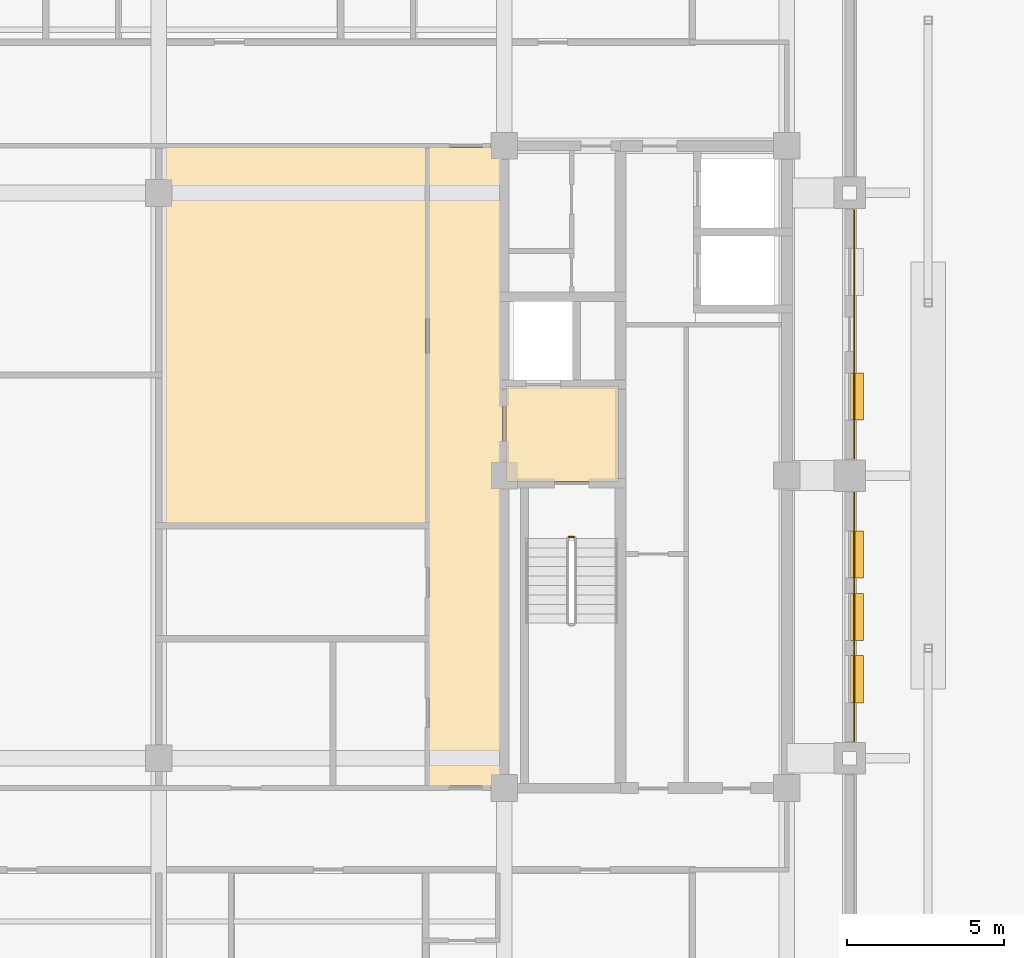
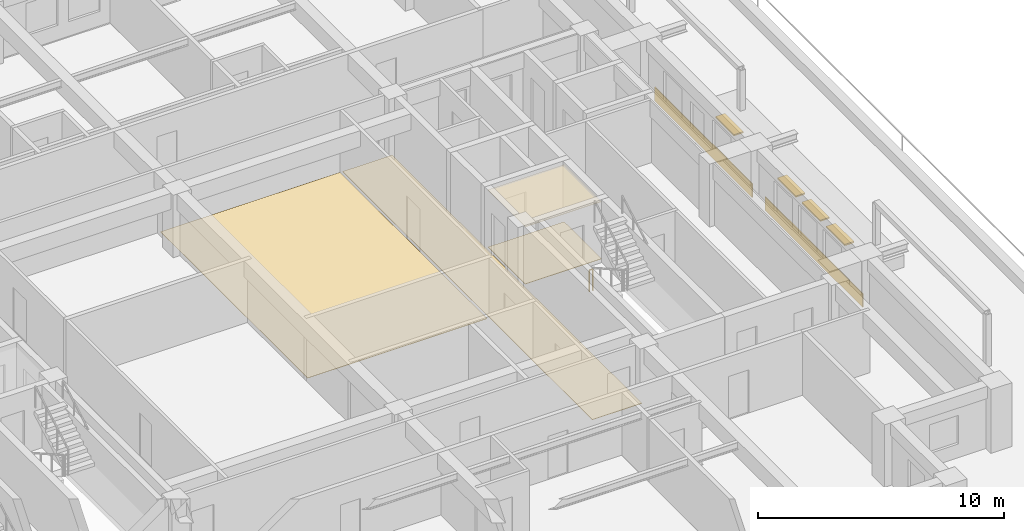
# One storey, part 17 of 18: 6 coverings, 4 shading devices, 1 railing.
"""IFC4 building model written with IfcOpenShell, lengths in metres."""

from ifc_helpers import new_model, si_unit, direction, frame, frame_2d, origin, origin_2d, place, context, subcontext, project, spatial, polyline, rectangle, outline, extrude, material, layer, layer_set, type_object, element, save


model = new_model("IFC4")

# Units and contexts
model_context = context("Model", 3, precision=1e-05, world=origin(), true_north=direction((0.0, 1.0)))
body_context = subcontext(model_context, "Body", "Model", "MODEL_VIEW")
ifc_project = project(units=[si_unit("LENGTHUNIT", "METRE"), si_unit("AREAUNIT", "SQUARE_METRE"), si_unit("VOLUMEUNIT", "CUBIC_METRE"), si_unit("PLANEANGLEUNIT", "RADIAN"), si_unit("MASSUNIT", "GRAM", prefix="KILO")], contexts=[model_context])

# Site, building, storey
site_placement = place(None, origin())
site = spatial("IfcSite", under=ifc_project, at=site_placement, CompositionType="ELEMENT")
building_placement = place(site_placement, origin())
building = spatial("IfcBuilding", under=site, at=building_placement, Name="Zulmaris Gate Convention Tower", CompositionType="ELEMENT")
storey_placement = place(building_placement, frame((0.0, 0.0, 191.4599609375)))
storey = spatial("IfcBuildingStorey", under=building, at=storey_placement, Name="L49", CompositionType="ELEMENT", Elevation=191.4599609375)

# Coverings
ifc_material_1 = material(Name="Precast concrete C40/50", Category="concrete")
ifc_layer_1 = layer(ifc_material_1, 0.0400390625, Name="Precast concrete C40/50")
ifc_layer_set_1 = layer_set([ifc_layer_1], Name="Precast concrete C40/50")
covering_type_1 = type_object("IfcCoveringType", Name="CLAD-SPANDREL-PRECAST", PredefinedType="CLADDING", material=ifc_layer_set_1)
for number, where, z_axis, x_axis, name in (
    (1, (22.14990234375, -8.469970703125, 0.0), (0.0, 0.0, 1.0), (0.0, 1.0, 0.0), "CLD-L49-E-1_0"),
    (2, (22.14990234375, 0.530029296875, 0.0), (0.0, 0.0, 1.0), (0.0, 1.0, 0.0), "CLD-L49-E-2_0"),
):
    element("IfcCovering", number, at=place(storey_placement, frame(where, z_axis=z_axis, x_axis=x_axis)), inside=storey, type_object=covering_type_1, Name=name, PredefinedType="CLADDING", context=body_context, shape_type="SweptSolid", body=[
        extrude(rectangle(XDim=7.93994140625, YDim=0.0400390625, at=frame_2d((3.969970703125, 0.0))), origin(), (0.0, 0.0, 1.0), 0.679931640625),
    ])
ifc_material_2 = material(Name="Mineral Fibre Acoustic Ceiling Tile")
ifc_layer_2 = layer(ifc_material_2, 0.02001953125, Name="Mineral Fibre Acoustic Ceiling Tile")
ifc_layer_set_2 = layer_set([ifc_layer_2], Name="Mineral Fibre Acoustic Ceiling Tile")
covering_type_2 = type_object("IfcCoveringType", Name="CLG-ACOUSTIC-600", PredefinedType="CEILING", material=ifc_layer_set_2)
covering_1_placement = place(storey_placement, frame((0.0, 0.0, 2.844970703125)))
element("IfcCovering", 3, at=covering_1_placement, inside=storey, type_object=covering_type_2, Name="CLG-L49-R08", PredefinedType="CEILING", context=body_context, shape_type="SweptSolid", body=[
    extrude(outline(polyline([(11.06005859375, -0.18994140625), (14.639892578125, -0.18994140625), (14.639892578125, 2.840087890625), (11.06005859375, 2.840087890625), (11.06005859375, -0.18994140625)])), origin(), (0.0, 0.0, 1.0), 0.02001953125),
])
ifc_material_3 = material(Name="Woven Acoustic Wool Carpet Tile")
ifc_layer_3 = layer(ifc_material_3, 0.02001953125, Name="Woven Acoustic Wool Carpet Tile")
ifc_layer_set_3 = layer_set([ifc_layer_3], Name="Woven Acoustic Wool Carpet Tile")
covering_type_3 = type_object("IfcCoveringType", Name="FLR-CARPET-12", PredefinedType="FLOORING", material=ifc_layer_set_3)
covering_2_placement = place(storey_placement, origin())
element("IfcCovering", 4, at=covering_2_placement, inside=storey, type_object=covering_type_3, Name="FLR-L49-R08", PredefinedType="FLOORING", context=body_context, shape_type="SweptSolid", body=[
    extrude(outline(polyline([(11.06005859375, -0.18994140625), (14.639892578125, -0.18994140625), (14.639892578125, 2.840087890625), (11.06005859375, 2.840087890625), (11.06005859375, -0.18994140625)])), origin(), (0.0, 0.0, 1.0), 0.02001953125),
])
covering_3_placement = place(storey_placement, origin())
element("IfcCovering", 5, at=covering_3_placement, inside=storey, type_object=covering_type_3, Name="FLR-L49-R36", PredefinedType="FLOORING", context=body_context, shape_type="SweptSolid", body=[
    extrude(outline(polyline([(8.610107421875, -9.889892578125), (10.93994140625, -9.889892578125), (10.93994140625, 10.43994140625), (8.610107421875, 10.43994140625), (8.610107421875, -9.889892578125)])), origin(), (0.0, 0.0, 1.0), 0.02001953125),
])
ifc_material_4 = material(Name="Engineered Teak Parquet Flooring")
ifc_layer_4 = layer(ifc_material_4, 0.02001953125, Name="Engineered Teak Parquet Flooring")
ifc_layer_set_4 = layer_set([ifc_layer_4], Name="Engineered Teak Parquet Flooring")
covering_type_4 = type_object("IfcCoveringType", Name="FLR-TIMBER-18", PredefinedType="FLOORING", material=ifc_layer_set_4)
covering_4_placement = place(storey_placement, origin())
element("IfcCovering", 6, at=covering_4_placement, inside=storey, type_object=covering_type_4, Name="FLR-L49-R54", PredefinedType="FLOORING", context=body_context, shape_type="SweptSolid", body=[
    extrude(outline(polyline([(0.06005859375, -1.5400390625), (8.489990234375, -1.5400390625), (8.489990234375, 10.43994140625), (0.06005859375, 10.43994140625), (0.06005859375, -1.5400390625)])), origin(), (0.0, 0.0, 1.0), 0.02001953125),
])

# Railing
ifc_material_5 = material(Name="Painted Galvanised Steel", Category="steel")
railing_type = type_object("IfcRailingType", Name="RL-STG-1150", PredefinedType="GUARDRAIL", material=ifc_material_5)
railing_placement = place(storey_placement, frame((13.06005859375, -1.949951171875, 0.0)))
element("IfcRailing", 7, at=railing_placement, inside=storey, type_object=railing_type, Name="L49 ST-2 stair guard 4", PredefinedType="GUARDRAIL", context=body_context, shape_type="SweptSolid", body=[
    extrude(rectangle(XDim=0.048095703125, YDim=0.048095703125, at=origin_2d()), frame((0.0, 0.0, 1.076171875), z_axis=(1.0, 0.0, 0.0), x_axis=(0.0, 1.0, 0.0)), (0.0, 0.0, 1.0), 0.159912109375),
    extrude(rectangle(XDim=0.0419921875, YDim=0.0419921875, at=origin_2d()), origin(), (0.0, 0.0, 1.0), 1.052001953125),
    extrude(rectangle(XDim=0.0419921875, YDim=0.0419921875, at=origin_2d()), frame((0.159912109375, 0.0, 0.0)), (0.0, 0.0, 1.0), 1.052001953125),
])

# Shading devices
ifc_material_6 = material(Name="Glazed Ceramic Terracotta", Category="masonry")
ifc_layer_5 = layer(ifc_material_6, 0.070068359375, Name="Glazed Ceramic Terracotta")
ifc_layer_set_5 = layer_set([ifc_layer_5], Name="Glazed Ceramic Terracotta")
shading_device_type = type_object("IfcShadingDeviceType", Name="SHD-SUNSHADE-TC", PredefinedType="AWNING", material=ifc_layer_set_5)
for number, where, z_axis, x_axis, name in (
    (8, (22.219970703125, -7.235107421875, 2.35009765625), (0.0, 0.0, 1.0), (0.0, 1.0, 0.0), "SHD-EW-L49-E-1_0-1"),
    (9, (22.219970703125, -5.25, 2.35009765625), (0.0, 0.0, 1.0), (0.0, 1.0, 0.0), "SHD-EW-L49-E-1_0-2"),
    (10, (22.219970703125, -3.264892578125, 2.35009765625), (0.0, 0.0, 1.0), (0.0, 1.0, 0.0), "SHD-EW-L49-E-1_0-3"),
    (11, (22.219970703125, 1.764892578125, 2.35009765625), (0.0, 0.0, 1.0), (0.0, 1.0, 0.0), "SHD-EW-L49-E-2_0-1"),
):
    element("IfcShadingDevice", number, at=place(storey_placement, frame(where, z_axis=z_axis, x_axis=x_axis)), inside=storey, type_object=shading_device_type, Name=name, PredefinedType="AWNING", context=body_context, shape_type="SweptSolid", body=[
        extrude(rectangle(XDim=1.5, YDim=0.43994140625, at=frame_2d((0.75, 0.0))), origin(), (0.0, 0.0, 1.0), 0.06982421875),
    ])

save(model, "model.ifc")
